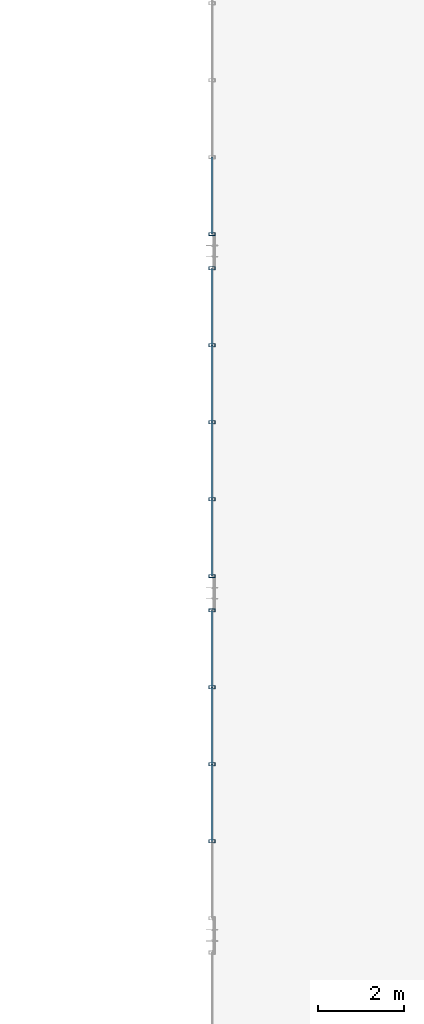
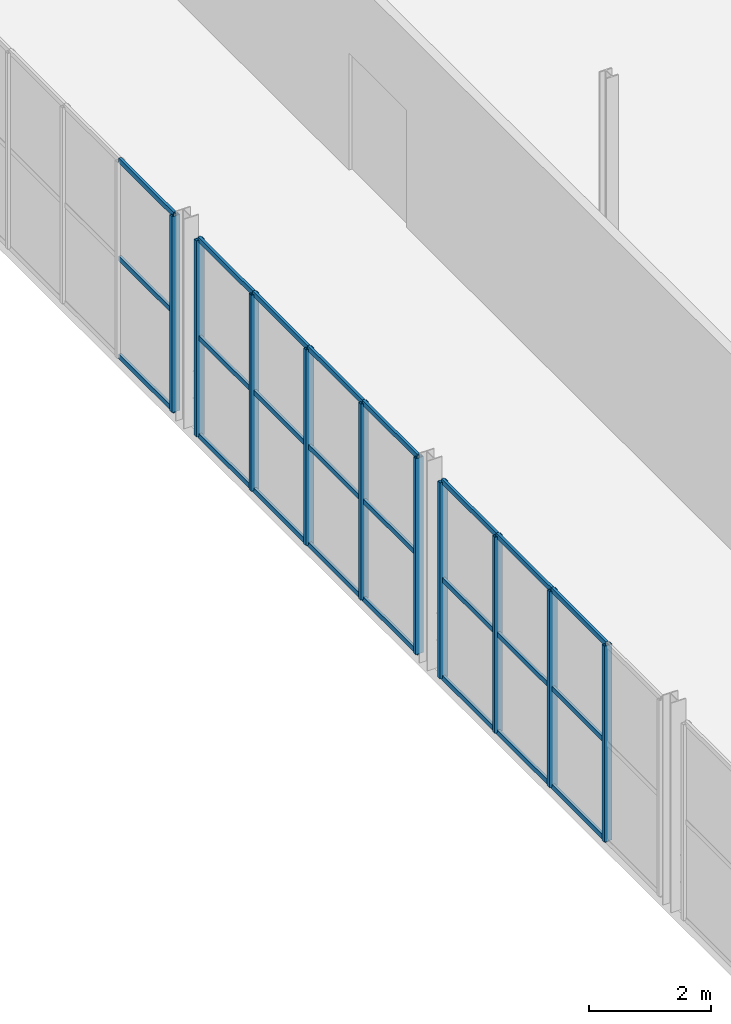
# One storey, part 35 of 122: 34 members, 3 elements without a shape of their own.
"""IFC4 building model written with IfcOpenShell, lengths in metres."""

from ifc_helpers import new_model, si_unit, direction, frame, origin, origin_2d, place, context, subcontext, project, spatial, hollow_rectangle, extrude, material, material_profile, profile_set, type_object, element, aggregate, save


model = new_model("IFC4")

# Units and contexts
model_context = context("Model", 3, precision=1e-05, world=origin(), true_north=direction((0.0, 1.0)))
body_context = subcontext(model_context, "Body", "Model", "MODEL_VIEW")
ifc_project = project(units=[si_unit("LENGTHUNIT", "METRE"), si_unit("AREAUNIT", "SQUARE_METRE"), si_unit("VOLUMEUNIT", "CUBIC_METRE"), si_unit("PLANEANGLEUNIT", "RADIAN"), si_unit("MASSUNIT", "GRAM", prefix="KILO")], contexts=[model_context])

# Site, building, storey
site_placement = place(None, origin())
site = spatial("IfcSite", under=ifc_project, at=site_placement, CompositionType="ELEMENT")
building_placement = place(site_placement, origin())
building = spatial("IfcBuilding", under=site, at=building_placement, Name="Sundkrona Museum", CompositionType="ELEMENT")
storey_placement = place(building_placement, frame((0.0, 0.0, 5.39990234375)))
storey = spatial("IfcBuildingStorey", under=building, at=storey_placement, Name="L01", CompositionType="ELEMENT", Elevation=5.39990234375)

# Curtain wall, members
ifc_material_1 = material(Name="Unitised Aluminium-Steel and Ceramic-Clad Curtain Walling", Category="steel")
curtain_wall_type = type_object("IfcCurtainWallType", Name="CW-PS-54x38", PredefinedType="NOTDEFINED", material=ifc_material_1)
curtain_wall_1_placement = place(storey_placement, origin())
curtain_wall_1 = element("IfcCurtainWall", 1, at=curtain_wall_1_placement, inside=storey, type_object=curtain_wall_type, Name="L01 Curtain Wall CW-L01-110", PredefinedType="NOTDEFINED")
ifc_material_2 = material(Name="Aluminium EN AW-6060 T66", Category="aluminium")
ifc_material_profile_1 = material_profile(ifc_material_2, hollow_rectangle(XDim=0.074951171875, YDim=0.14990234375, WallThickness=0.00634765625, at=origin_2d()), Name="RHS 150x75x6.3")
ifc_profile_set_1 = profile_set([ifc_material_profile_1], Name="Aluminium EN AW-6060 T66")
member_type_1 = type_object("IfcMemberType", Name="ML-150", PredefinedType="MULLION", material=ifc_profile_set_1)
member_1_placement = place(storey_placement, frame((80.0, 48.199951171875, -0.00390625), z_axis=(0.0, 0.0, 1.0), x_axis=(0.0, 1.0, 0.0)))
member_1 = element("IfcMember", 2, at=member_1_placement, type_object=member_type_1, Name="CW-L01-110 Mullion 02", PredefinedType="MULLION", context=body_context, shape_type="SweptSolid", body=[
    extrude(hollow_rectangle(XDim=0.074951171875, YDim=0.14990234375, WallThickness=0.00634765625, at=origin_2d()), origin(), (0.0, 0.0, 1.0), 3.927978515625),
])
member_2_placement = place(storey_placement, frame((80.0, 50.0, -0.00390625), z_axis=(0.0, 0.0, 1.0), x_axis=(0.0, 1.0, 0.0)))
member_2 = element("IfcMember", 3, at=member_2_placement, type_object=member_type_1, Name="CW-L01-110 Mullion 03", PredefinedType="MULLION", context=body_context, shape_type="SweptSolid", body=[
    extrude(hollow_rectangle(XDim=0.074951171875, YDim=0.14990234375, WallThickness=0.00634765625, at=origin_2d()), origin(), (0.0, 0.0, 1.0), 3.927978515625),
])
member_3_placement = place(storey_placement, frame((80.0, 51.800048828125, -0.00390625), z_axis=(0.0, 0.0, 1.0), x_axis=(0.0, 1.0, 0.0)))
member_3 = element("IfcMember", 4, at=member_3_placement, type_object=member_type_1, Name="CW-L01-110 Mullion 04", PredefinedType="MULLION", context=body_context, shape_type="SweptSolid", body=[
    extrude(hollow_rectangle(XDim=0.074951171875, YDim=0.14990234375, WallThickness=0.00634765625, at=origin_2d()), origin(), (0.0, 0.0, 1.0), 3.927978515625),
])
member_4_placement = place(storey_placement, frame((80.0, 53.60009765625, -0.00390625), z_axis=(0.0, 0.0, 1.0), x_axis=(0.0, 1.0, 0.0)))
member_4 = element("IfcMember", 5, at=member_4_placement, type_object=member_type_1, Name="CW-L01-110 Mullion 05", PredefinedType="MULLION", context=body_context, shape_type="SweptSolid", body=[
    extrude(hollow_rectangle(XDim=0.074951171875, YDim=0.14990234375, WallThickness=0.00634765625, at=origin_2d()), origin(), (0.0, 0.0, 1.0), 3.927978515625),
])

curtain_wall_2_placement = place(storey_placement, origin())
curtain_wall_2 = element("IfcCurtainWall", 6, at=curtain_wall_2_placement, inside=storey, type_object=curtain_wall_type, Name="L01 Curtain Wall CW-L01-112", PredefinedType="NOTDEFINED")
member_5_placement = place(storey_placement, frame((80.0, 54.39990234375, -0.00390625), z_axis=(0.0, 0.0, 1.0), x_axis=(0.0, 1.0, 0.0)))
member_5 = element("IfcMember", 7, at=member_5_placement, type_object=member_type_1, Name="CW-L01-112 Mullion 01", PredefinedType="MULLION", context=body_context, shape_type="SweptSolid", body=[
    extrude(hollow_rectangle(XDim=0.074951171875, YDim=0.14990234375, WallThickness=0.00634765625, at=origin_2d()), origin(), (0.0, 0.0, 1.0), 3.927978515625),
])
member_6_placement = place(storey_placement, frame((80.0, 56.199951171875, -0.00390625), z_axis=(0.0, 0.0, 1.0), x_axis=(0.0, 1.0, 0.0)))
member_6 = element("IfcMember", 8, at=member_6_placement, type_object=member_type_1, Name="CW-L01-112 Mullion 02", PredefinedType="MULLION", context=body_context, shape_type="SweptSolid", body=[
    extrude(hollow_rectangle(XDim=0.074951171875, YDim=0.14990234375, WallThickness=0.00634765625, at=origin_2d()), origin(), (0.0, 0.0, 1.0), 3.927978515625),
])
member_7_placement = place(storey_placement, frame((80.0, 58.0, -0.00390625), z_axis=(0.0, 0.0, 1.0), x_axis=(0.0, 1.0, 0.0)))
member_7 = element("IfcMember", 9, at=member_7_placement, type_object=member_type_1, Name="CW-L01-112 Mullion 03", PredefinedType="MULLION", context=body_context, shape_type="SweptSolid", body=[
    extrude(hollow_rectangle(XDim=0.074951171875, YDim=0.14990234375, WallThickness=0.00634765625, at=origin_2d()), origin(), (0.0, 0.0, 1.0), 3.927978515625),
])
member_8_placement = place(storey_placement, frame((80.0, 59.800048828125, -0.00390625), z_axis=(0.0, 0.0, 1.0), x_axis=(0.0, 1.0, 0.0)))
member_8 = element("IfcMember", 10, at=member_8_placement, type_object=member_type_1, Name="CW-L01-112 Mullion 04", PredefinedType="MULLION", context=body_context, shape_type="SweptSolid", body=[
    extrude(hollow_rectangle(XDim=0.074951171875, YDim=0.14990234375, WallThickness=0.00634765625, at=origin_2d()), origin(), (0.0, 0.0, 1.0), 3.927978515625),
])
member_9_placement = place(storey_placement, frame((80.0, 61.60009765625, -0.00390625), z_axis=(0.0, 0.0, 1.0), x_axis=(0.0, 1.0, 0.0)))
member_9 = element("IfcMember", 11, at=member_9_placement, type_object=member_type_1, Name="CW-L01-112 Mullion 05", PredefinedType="MULLION", context=body_context, shape_type="SweptSolid", body=[
    extrude(hollow_rectangle(XDim=0.074951171875, YDim=0.14990234375, WallThickness=0.00634765625, at=origin_2d()), origin(), (0.0, 0.0, 1.0), 3.927978515625),
])

# Curtain wall, member
curtain_wall_3_placement = place(storey_placement, origin())
curtain_wall_3 = element("IfcCurtainWall", 12, at=curtain_wall_3_placement, inside=storey, type_object=curtain_wall_type, Name="L01 Curtain Wall CW-L01-114", PredefinedType="NOTDEFINED")
member_10_placement = place(storey_placement, frame((80.0, 62.39990234375, -0.00390625), z_axis=(0.0, 0.0, 1.0), x_axis=(0.0, 1.0, 0.0)))
member_10 = element("IfcMember", 13, at=member_10_placement, type_object=member_type_1, Name="CW-L01-114 Mullion 01", PredefinedType="MULLION", context=body_context, shape_type="SweptSolid", body=[
    extrude(hollow_rectangle(XDim=0.074951171875, YDim=0.14990234375, WallThickness=0.00634765625, at=origin_2d()), origin(), (0.0, 0.0, 1.0), 3.927978515625),
])

# Member
ifc_material_profile_2 = material_profile(ifc_material_2, hollow_rectangle(XDim=0.050048828125, YDim=0.10009765625, WallThickness=0.0048828125, at=origin_2d()), Name="RHS 100x50x5.0")
ifc_profile_set_2 = profile_set([ifc_material_profile_2], Name="Aluminium EN AW-6060 T66")
member_type_2 = type_object("IfcMemberType", Name="TR-100", PredefinedType="USERDEFINED", material=ifc_profile_set_2)
member_11_placement = place(storey_placement, frame((80.0, 48.199951171875, -0.00390625), z_axis=(0.0, 1.0, 0.0), x_axis=(-1.0, 0.0, 0.0)))
member_11 = element("IfcMember", 14, at=member_11_placement, type_object=member_type_2, Name="CW-L01-110 Transom 04", ObjectType="TRANSOM", PredefinedType="USERDEFINED", context=body_context, shape_type="SweptSolid", body=[
    extrude(hollow_rectangle(XDim=0.050048828125, YDim=0.10009765625, WallThickness=0.0048828125, at=origin_2d()), origin(), (0.0, 0.0, 1.0), 1.800048828125),
])

member_12_placement = place(storey_placement, frame((80.0, 48.199951171875, 1.960205078125), z_axis=(0.0, 1.0, 0.0), x_axis=(-1.0, 0.0, 0.0)))
member_12 = element("IfcMember", 15, at=member_12_placement, type_object=member_type_2, Name="CW-L01-110 Transom 05", ObjectType="TRANSOM", PredefinedType="USERDEFINED", context=body_context, shape_type="SweptSolid", body=[
    extrude(hollow_rectangle(XDim=0.050048828125, YDim=0.10009765625, WallThickness=0.0048828125, at=origin_2d()), origin(), (0.0, 0.0, 1.0), 1.800048828125),
])

member_13_placement = place(storey_placement, frame((80.0, 48.199951171875, 3.924072265625), z_axis=(0.0, 1.0, 0.0), x_axis=(-1.0, 0.0, 0.0)))
member_13 = element("IfcMember", 16, at=member_13_placement, type_object=member_type_2, Name="CW-L01-110 Transom 06", ObjectType="TRANSOM", PredefinedType="USERDEFINED", context=body_context, shape_type="SweptSolid", body=[
    extrude(hollow_rectangle(XDim=0.050048828125, YDim=0.10009765625, WallThickness=0.0048828125, at=origin_2d()), origin(), (0.0, 0.0, 1.0), 1.800048828125),
])

member_14_placement = place(storey_placement, frame((80.0, 50.0, -0.00390625), z_axis=(0.0, 1.0, 0.0), x_axis=(-1.0, 0.0, 0.0)))
member_14 = element("IfcMember", 17, at=member_14_placement, type_object=member_type_2, Name="CW-L01-110 Transom 07", ObjectType="TRANSOM", PredefinedType="USERDEFINED", context=body_context, shape_type="SweptSolid", body=[
    extrude(hollow_rectangle(XDim=0.050048828125, YDim=0.10009765625, WallThickness=0.0048828125, at=origin_2d()), origin(), (0.0, 0.0, 1.0), 1.800048828125),
])

member_15_placement = place(storey_placement, frame((80.0, 50.0, 1.960205078125), z_axis=(0.0, 1.0, 0.0), x_axis=(-1.0, 0.0, 0.0)))
member_15 = element("IfcMember", 18, at=member_15_placement, type_object=member_type_2, Name="CW-L01-110 Transom 08", ObjectType="TRANSOM", PredefinedType="USERDEFINED", context=body_context, shape_type="SweptSolid", body=[
    extrude(hollow_rectangle(XDim=0.050048828125, YDim=0.10009765625, WallThickness=0.0048828125, at=origin_2d()), origin(), (0.0, 0.0, 1.0), 1.800048828125),
])

member_16_placement = place(storey_placement, frame((80.0, 50.0, 3.924072265625), z_axis=(0.0, 1.0, 0.0), x_axis=(-1.0, 0.0, 0.0)))
member_16 = element("IfcMember", 19, at=member_16_placement, type_object=member_type_2, Name="CW-L01-110 Transom 09", ObjectType="TRANSOM", PredefinedType="USERDEFINED", context=body_context, shape_type="SweptSolid", body=[
    extrude(hollow_rectangle(XDim=0.050048828125, YDim=0.10009765625, WallThickness=0.0048828125, at=origin_2d()), origin(), (0.0, 0.0, 1.0), 1.800048828125),
])

member_17_placement = place(storey_placement, frame((80.0, 51.800048828125, -0.00390625), z_axis=(0.0, 1.0, 0.0), x_axis=(-1.0, 0.0, 0.0)))
member_17 = element("IfcMember", 20, at=member_17_placement, type_object=member_type_2, Name="CW-L01-110 Transom 10", ObjectType="TRANSOM", PredefinedType="USERDEFINED", context=body_context, shape_type="SweptSolid", body=[
    extrude(hollow_rectangle(XDim=0.050048828125, YDim=0.10009765625, WallThickness=0.0048828125, at=origin_2d()), origin(), (0.0, 0.0, 1.0), 1.800048828125),
])

member_18_placement = place(storey_placement, frame((80.0, 51.800048828125, 1.960205078125), z_axis=(0.0, 1.0, 0.0), x_axis=(-1.0, 0.0, 0.0)))
member_18 = element("IfcMember", 21, at=member_18_placement, type_object=member_type_2, Name="CW-L01-110 Transom 11", ObjectType="TRANSOM", PredefinedType="USERDEFINED", context=body_context, shape_type="SweptSolid", body=[
    extrude(hollow_rectangle(XDim=0.050048828125, YDim=0.10009765625, WallThickness=0.0048828125, at=origin_2d()), origin(), (0.0, 0.0, 1.0), 1.800048828125),
])

member_19_placement = place(storey_placement, frame((80.0, 51.800048828125, 3.924072265625), z_axis=(0.0, 1.0, 0.0), x_axis=(-1.0, 0.0, 0.0)))
member_19 = element("IfcMember", 22, at=member_19_placement, type_object=member_type_2, Name="CW-L01-110 Transom 12", ObjectType="TRANSOM", PredefinedType="USERDEFINED", context=body_context, shape_type="SweptSolid", body=[
    extrude(hollow_rectangle(XDim=0.050048828125, YDim=0.10009765625, WallThickness=0.0048828125, at=origin_2d()), origin(), (0.0, 0.0, 1.0), 1.800048828125),
])

aggregate(curtain_wall_1, [member_1, member_2, member_3, member_4, member_11, member_12, member_13, member_14, member_15, member_16, member_17, member_18, member_19])

member_20_placement = place(storey_placement, frame((80.0, 54.39990234375, -0.00390625), z_axis=(0.0, 1.0, 0.0), x_axis=(-1.0, 0.0, 0.0)))
member_20 = element("IfcMember", 23, at=member_20_placement, type_object=member_type_2, Name="CW-L01-112 Transom 01", ObjectType="TRANSOM", PredefinedType="USERDEFINED", context=body_context, shape_type="SweptSolid", body=[
    extrude(hollow_rectangle(XDim=0.050048828125, YDim=0.10009765625, WallThickness=0.0048828125, at=origin_2d()), origin(), (0.0, 0.0, 1.0), 1.800048828125),
])

member_21_placement = place(storey_placement, frame((80.0, 54.39990234375, 1.960205078125), z_axis=(0.0, 1.0, 0.0), x_axis=(-1.0, 0.0, 0.0)))
member_21 = element("IfcMember", 24, at=member_21_placement, type_object=member_type_2, Name="CW-L01-112 Transom 02", ObjectType="TRANSOM", PredefinedType="USERDEFINED", context=body_context, shape_type="SweptSolid", body=[
    extrude(hollow_rectangle(XDim=0.050048828125, YDim=0.10009765625, WallThickness=0.0048828125, at=origin_2d()), origin(), (0.0, 0.0, 1.0), 1.800048828125),
])

member_22_placement = place(storey_placement, frame((80.0, 54.39990234375, 3.924072265625), z_axis=(0.0, 1.0, 0.0), x_axis=(-1.0, 0.0, 0.0)))
member_22 = element("IfcMember", 25, at=member_22_placement, type_object=member_type_2, Name="CW-L01-112 Transom 03", ObjectType="TRANSOM", PredefinedType="USERDEFINED", context=body_context, shape_type="SweptSolid", body=[
    extrude(hollow_rectangle(XDim=0.050048828125, YDim=0.10009765625, WallThickness=0.0048828125, at=origin_2d()), origin(), (0.0, 0.0, 1.0), 1.800048828125),
])

member_23_placement = place(storey_placement, frame((80.0, 56.199951171875, -0.00390625), z_axis=(0.0, 1.0, 0.0), x_axis=(-1.0, 0.0, 0.0)))
member_23 = element("IfcMember", 26, at=member_23_placement, type_object=member_type_2, Name="CW-L01-112 Transom 04", ObjectType="TRANSOM", PredefinedType="USERDEFINED", context=body_context, shape_type="SweptSolid", body=[
    extrude(hollow_rectangle(XDim=0.050048828125, YDim=0.10009765625, WallThickness=0.0048828125, at=origin_2d()), origin(), (0.0, 0.0, 1.0), 1.800048828125),
])

member_24_placement = place(storey_placement, frame((80.0, 56.199951171875, 1.960205078125), z_axis=(0.0, 1.0, 0.0), x_axis=(-1.0, 0.0, 0.0)))
member_24 = element("IfcMember", 27, at=member_24_placement, type_object=member_type_2, Name="CW-L01-112 Transom 05", ObjectType="TRANSOM", PredefinedType="USERDEFINED", context=body_context, shape_type="SweptSolid", body=[
    extrude(hollow_rectangle(XDim=0.050048828125, YDim=0.10009765625, WallThickness=0.0048828125, at=origin_2d()), origin(), (0.0, 0.0, 1.0), 1.800048828125),
])

member_25_placement = place(storey_placement, frame((80.0, 56.199951171875, 3.924072265625), z_axis=(0.0, 1.0, 0.0), x_axis=(-1.0, 0.0, 0.0)))
member_25 = element("IfcMember", 28, at=member_25_placement, type_object=member_type_2, Name="CW-L01-112 Transom 06", ObjectType="TRANSOM", PredefinedType="USERDEFINED", context=body_context, shape_type="SweptSolid", body=[
    extrude(hollow_rectangle(XDim=0.050048828125, YDim=0.10009765625, WallThickness=0.0048828125, at=origin_2d()), origin(), (0.0, 0.0, 1.0), 1.800048828125),
])

member_26_placement = place(storey_placement, frame((80.0, 58.0, -0.00390625), z_axis=(0.0, 1.0, 0.0), x_axis=(-1.0, 0.0, 0.0)))
member_26 = element("IfcMember", 29, at=member_26_placement, type_object=member_type_2, Name="CW-L01-112 Transom 07", ObjectType="TRANSOM", PredefinedType="USERDEFINED", context=body_context, shape_type="SweptSolid", body=[
    extrude(hollow_rectangle(XDim=0.050048828125, YDim=0.10009765625, WallThickness=0.0048828125, at=origin_2d()), origin(), (0.0, 0.0, 1.0), 1.800048828125),
])

member_27_placement = place(storey_placement, frame((80.0, 58.0, 1.960205078125), z_axis=(0.0, 1.0, 0.0), x_axis=(-1.0, 0.0, 0.0)))
member_27 = element("IfcMember", 30, at=member_27_placement, type_object=member_type_2, Name="CW-L01-112 Transom 08", ObjectType="TRANSOM", PredefinedType="USERDEFINED", context=body_context, shape_type="SweptSolid", body=[
    extrude(hollow_rectangle(XDim=0.050048828125, YDim=0.10009765625, WallThickness=0.0048828125, at=origin_2d()), origin(), (0.0, 0.0, 1.0), 1.800048828125),
])

member_28_placement = place(storey_placement, frame((80.0, 58.0, 3.924072265625), z_axis=(0.0, 1.0, 0.0), x_axis=(-1.0, 0.0, 0.0)))
member_28 = element("IfcMember", 31, at=member_28_placement, type_object=member_type_2, Name="CW-L01-112 Transom 09", ObjectType="TRANSOM", PredefinedType="USERDEFINED", context=body_context, shape_type="SweptSolid", body=[
    extrude(hollow_rectangle(XDim=0.050048828125, YDim=0.10009765625, WallThickness=0.0048828125, at=origin_2d()), origin(), (0.0, 0.0, 1.0), 1.800048828125),
])

member_29_placement = place(storey_placement, frame((80.0, 59.800048828125, -0.00390625), z_axis=(0.0, 1.0, 0.0), x_axis=(-1.0, 0.0, 0.0)))
member_29 = element("IfcMember", 32, at=member_29_placement, type_object=member_type_2, Name="CW-L01-112 Transom 10", ObjectType="TRANSOM", PredefinedType="USERDEFINED", context=body_context, shape_type="SweptSolid", body=[
    extrude(hollow_rectangle(XDim=0.050048828125, YDim=0.10009765625, WallThickness=0.0048828125, at=origin_2d()), origin(), (0.0, 0.0, 1.0), 1.800048828125),
])

member_30_placement = place(storey_placement, frame((80.0, 59.800048828125, 1.960205078125), z_axis=(0.0, 1.0, 0.0), x_axis=(-1.0, 0.0, 0.0)))
member_30 = element("IfcMember", 33, at=member_30_placement, type_object=member_type_2, Name="CW-L01-112 Transom 11", ObjectType="TRANSOM", PredefinedType="USERDEFINED", context=body_context, shape_type="SweptSolid", body=[
    extrude(hollow_rectangle(XDim=0.050048828125, YDim=0.10009765625, WallThickness=0.0048828125, at=origin_2d()), origin(), (0.0, 0.0, 1.0), 1.800048828125),
])

member_31_placement = place(storey_placement, frame((80.0, 59.800048828125, 3.924072265625), z_axis=(0.0, 1.0, 0.0), x_axis=(-1.0, 0.0, 0.0)))
member_31 = element("IfcMember", 34, at=member_31_placement, type_object=member_type_2, Name="CW-L01-112 Transom 12", ObjectType="TRANSOM", PredefinedType="USERDEFINED", context=body_context, shape_type="SweptSolid", body=[
    extrude(hollow_rectangle(XDim=0.050048828125, YDim=0.10009765625, WallThickness=0.0048828125, at=origin_2d()), origin(), (0.0, 0.0, 1.0), 1.800048828125),
])

aggregate(curtain_wall_2, [member_5, member_6, member_7, member_8, member_9, member_20, member_21, member_22, member_23, member_24, member_25, member_26, member_27, member_28, member_29, member_30, member_31])

member_32_placement = place(storey_placement, frame((80.0, 62.39990234375, -0.00390625), z_axis=(0.0, 1.0, 0.0), x_axis=(-1.0, 0.0, 0.0)))
member_32 = element("IfcMember", 35, at=member_32_placement, type_object=member_type_2, Name="CW-L01-114 Transom 01", ObjectType="TRANSOM", PredefinedType="USERDEFINED", context=body_context, shape_type="SweptSolid", body=[
    extrude(hollow_rectangle(XDim=0.050048828125, YDim=0.10009765625, WallThickness=0.0048828125, at=origin_2d()), origin(), (0.0, 0.0, 1.0), 1.800048828125),
])

member_33_placement = place(storey_placement, frame((80.0, 62.39990234375, 1.960205078125), z_axis=(0.0, 1.0, 0.0), x_axis=(-1.0, 0.0, 0.0)))
member_33 = element("IfcMember", 36, at=member_33_placement, type_object=member_type_2, Name="CW-L01-114 Transom 02", ObjectType="TRANSOM", PredefinedType="USERDEFINED", context=body_context, shape_type="SweptSolid", body=[
    extrude(hollow_rectangle(XDim=0.050048828125, YDim=0.10009765625, WallThickness=0.0048828125, at=origin_2d()), origin(), (0.0, 0.0, 1.0), 1.800048828125),
])

member_34_placement = place(storey_placement, frame((80.0, 62.39990234375, 3.924072265625), z_axis=(0.0, 1.0, 0.0), x_axis=(-1.0, 0.0, 0.0)))
member_34 = element("IfcMember", 37, at=member_34_placement, type_object=member_type_2, Name="CW-L01-114 Transom 03", ObjectType="TRANSOM", PredefinedType="USERDEFINED", context=body_context, shape_type="SweptSolid", body=[
    extrude(hollow_rectangle(XDim=0.050048828125, YDim=0.10009765625, WallThickness=0.0048828125, at=origin_2d()), origin(), (0.0, 0.0, 1.0), 1.800048828125),
])

aggregate(curtain_wall_3, [member_10, member_32, member_33, member_34])

save(model, "model.ifc")
